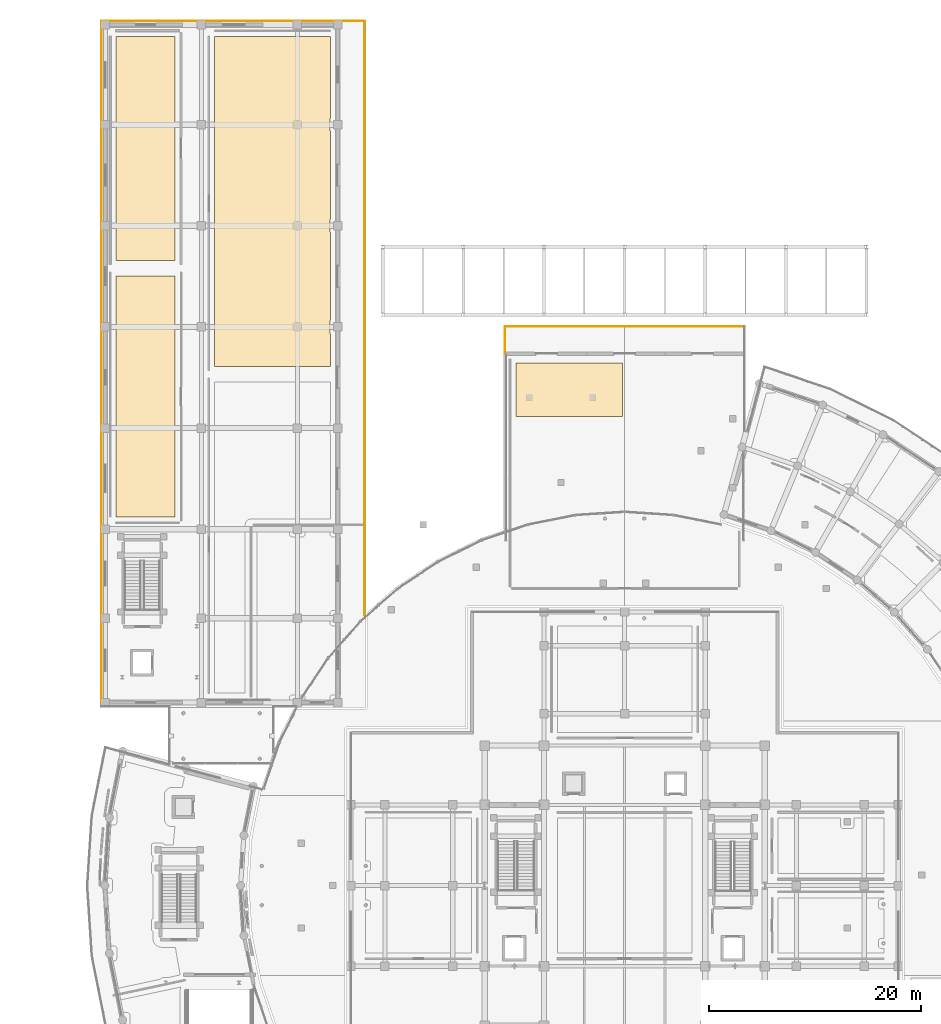
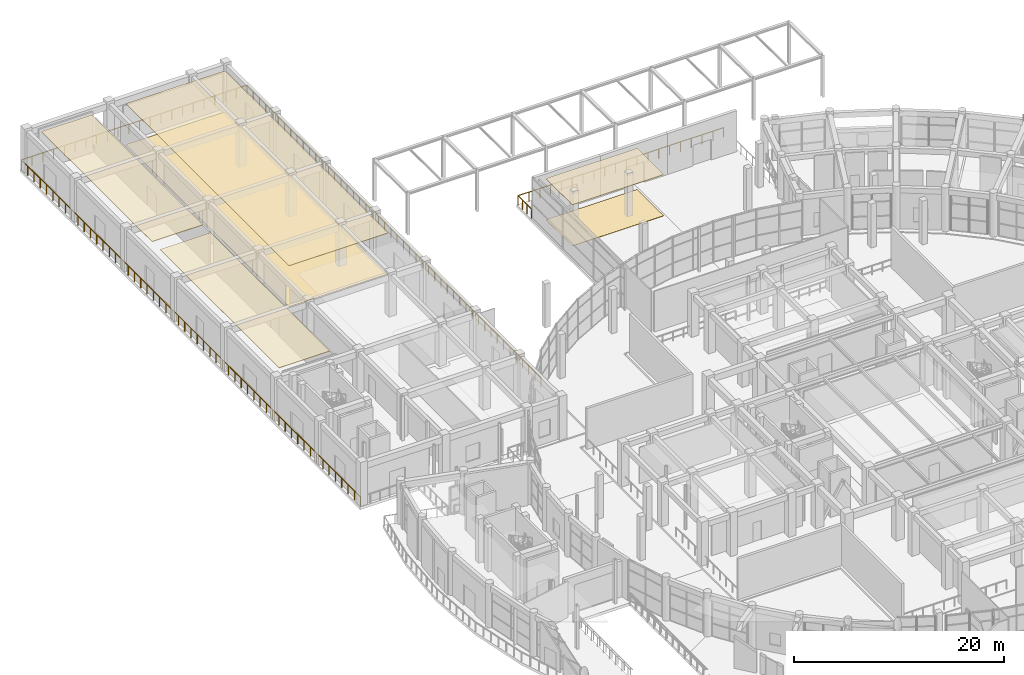
# One storey, part 97 of 99: 6 coverings, 5 railings.
"""IFC4 building model written with IfcOpenShell, lengths in metres."""

import ifcopenshell
import ifcopenshell.guid

model = None  # the IFC model being written
_history = None  # IfcOwnerHistory: only IFC2X3 demands one
_inside = {}  # id of a spatial element -> (the spatial element, [elements in it])
_under = {}  # id of a project, library or spatial element -> (it, [spatial elements below it])
_declared = {}  # id of a project -> (the project, [libraries it declares])
_typed = {}  # id of a type object -> (the type object, [elements of that type])
_made_of = {}  # id of a material, layer set ... -> (it, [elements and type objects made of it])


def new_model(schema):
    """Start an empty IFC model of exactly this schema.

    Asked for "IFC4X3", IfcOpenShell would pick the latest addendum, in which some entities
    have other attributes; the version numbers below select the first issue.
    IFC2X3 requires an IfcOwnerHistory on every rooted entity: one is made here for all.
    """
    global model, _history
    if schema == "IFC4X3":
        model = ifcopenshell.file(schema_version=(4, 3, 0, 0))
    else:
        model = ifcopenshell.file(schema=schema)
    _inside.clear()
    _under.clear()
    _declared.clear()
    _typed.clear()
    _made_of.clear()
    _history = None
    if model.schema == "IFC2X3":
        org = make("IfcOrganization", Name="unknown")
        user = make(
            "IfcPersonAndOrganization",
            ThePerson=make("IfcPerson", FamilyName="unknown"),
            TheOrganization=org,
        )
        app = make(
            "IfcApplication",
            ApplicationDeveloper=org,
            Version="unknown",
            ApplicationFullName="unknown",
            ApplicationIdentifier="unknown",
        )
        _history = make(
            "IfcOwnerHistory",
            OwningUser=user,
            OwningApplication=app,
            ChangeAction="ADDED",
            CreationDate=0,
        )
    return model


def make(cls, **values):
    """One entity of the class cls with the attributes given. An attribute that is None is left unset."""
    return model.create_entity(
        cls, **{name: value for name, value in values.items() if value is not None}
    )


def rooted(cls, **values):
    """An entity with a GlobalId (a new one), such as an element, a storey or a relation."""
    return make(cls, GlobalId=ifcopenshell.guid.new(), OwnerHistory=_history, **values)


def si_unit(unit_type, name, prefix=None):
    """IfcSIUnit, for example si_unit("LENGTHUNIT", "METRE", prefix="MILLI")."""
    return make("IfcSIUnit", UnitType=unit_type, Prefix=prefix, Name=name)


def assignment(units):
    """IfcUnitAssignment: the units of a project."""
    return None if units is None else make("IfcUnitAssignment", Units=units)


def point(xyz):
    """IfcCartesianPoint."""
    return None if xyz is None else make("IfcCartesianPoint", Coordinates=xyz)


def direction(xyz):
    """IfcDirection."""
    return None if xyz is None else make("IfcDirection", DirectionRatios=xyz)


def frame(location, z_axis=None, x_axis=None):
    """IfcAxis2Placement3D, a coordinate frame: its origin and axes. An axis left out is left unset."""
    return make(
        "IfcAxis2Placement3D",
        Location=point(location),
        Axis=direction(z_axis),
        RefDirection=direction(x_axis),
    )


def frame_2d(location, x_axis=None):
    """IfcAxis2Placement2D, a coordinate frame in the plane: its origin and x axis."""
    return make(
        "IfcAxis2Placement2D", Location=point(location), RefDirection=direction(x_axis)
    )


def origin():
    """The frame at (0, 0, 0) with its axes left unset."""
    return frame((0.0, 0.0, 0.0))


def origin_2d():
    """The frame at (0, 0) in the plane with its x axis left unset."""
    return frame_2d((0.0, 0.0))


def place(relative_to, where):
    """IfcLocalPlacement: puts the frame where relative to a parent placement (None: the world)."""
    return make(
        "IfcLocalPlacement", PlacementRelTo=relative_to, RelativePlacement=where
    )


def context(
    kind, dimensions, precision=None, world=None, true_north=None, identifier=None
):
    """IfcGeometricRepresentationContext, for example the 3D "Model" context."""
    return make(
        "IfcGeometricRepresentationContext",
        ContextIdentifier=identifier,
        ContextType=kind,
        CoordinateSpaceDimension=dimensions,
        Precision=precision,
        WorldCoordinateSystem=world,
        TrueNorth=true_north,
    )


def subcontext(parent, identifier, kind, view, scale=None):
    """IfcGeometricRepresentationSubContext, for example "Body" below "Model"."""
    return make(
        "IfcGeometricRepresentationSubContext",
        ContextIdentifier=identifier,
        ContextType=kind,
        ParentContext=parent,
        TargetScale=scale,
        TargetView=view,
    )


def project(units=None, contexts=None):
    """IfcProject with its units and contexts."""
    return rooted(
        "IfcProject",
        Name="project",
        RepresentationContexts=contexts,
        UnitsInContext=assignment(units),
    )


def spatial(cls, under=None, at=None, **own):
    """A site, building, storey or space (cls), placed at a placement, below another one or the project."""
    s = rooted(cls, ObjectPlacement=at, **own)
    if under is not None:
        _under.setdefault(under.id(), (under, []))[1].append(s)
    return s


def polyline(points):
    """IfcPolyline through the points."""
    return make("IfcPolyline", Points=[point(p) for p in points])


def profile(cls, at=None, kind="AREA", **sizes):
    """A parametric profile (cls). Its sizes go by their IFC names, for example OverallWidth=200.0."""
    return make(cls, ProfileType=kind, Position=at, **sizes)


def rectangle(**sizes):
    """IfcRectangleProfileDef."""
    return profile("IfcRectangleProfileDef", **sizes)


def outline(outer, holes=None, kind="AREA"):
    """IfcArbitraryClosedProfileDef: a profile drawn as a closed curve; with holes, ...WithVoids."""
    if holes is None:
        return make("IfcArbitraryClosedProfileDef", ProfileType=kind, OuterCurve=outer)
    return make(
        "IfcArbitraryProfileDefWithVoids",
        ProfileType=kind,
        OuterCurve=outer,
        InnerCurves=holes,
    )


def extrude(swept, where, along, depth):
    """IfcExtrudedAreaSolid: the profile swept, set in the frame where, extruded along a direction by depth."""
    return make(
        "IfcExtrudedAreaSolid",
        SweptArea=swept,
        Position=where,
        ExtrudedDirection=direction(along),
        Depth=depth,
    )


def shape(context_of_items, identifier, shape_type, items):
    """IfcShapeRepresentation: the items that make up one representation, for example the "Body"."""
    return make(
        "IfcShapeRepresentation",
        ContextOfItems=context_of_items,
        RepresentationIdentifier=identifier,
        RepresentationType=shape_type,
        Items=items,
    )


def material(Name=None, Category=None):
    """IfcMaterial."""
    return make("IfcMaterial", Name=Name, Category=Category)


def layer(
    of_material, thickness, ventilated=None, Name=None, Category=None, Priority=None
):
    """IfcMaterialLayer: one layer of a wall or slab, of a material (None: an air gap)."""
    return make(
        "IfcMaterialLayer",
        Material=of_material,
        LayerThickness=thickness,
        IsVentilated=ventilated,
        Name=Name,
        Category=Category,
        Priority=Priority,
    )


def layer_set(layers, Name=None):
    """IfcMaterialLayerSet."""
    return make("IfcMaterialLayerSet", MaterialLayers=layers, LayerSetName=Name)


def made_of(thing, what):
    """Note that an element or type object is made of a material, layer set ...; save() writes the relation."""
    if what is not None:
        _made_of.setdefault(what.id(), (what, []))[1].append(thing)
    return thing


def type_object(cls, material=None, **own):
    """A type object (cls), such as IfcWallType, which elements share."""
    return made_of(rooted(cls, **own), material)


def element(
    cls,
    number,
    at=None,
    inside=None,
    cuts=None,
    type_object=None,
    material=None,
    context=None,
    identifier="Body",
    shape_type=None,
    held_by="IfcProductDefinitionShape",
    body=None,
    shapes=None,
    **own,
):
    """One element of the class cls, such as IfcWall. Its Tag is "e" and its number.

    at: its placement. inside: the storey or other place that contains it. cuts: it is an
    opening in that element (IfcRelVoidsElement). A single representation is given by context,
    identifier, shape_type and body (its items); several are given by shapes. held_by: the class
    of the entity that holds the representations. save() writes the other relations.
    """
    e = rooted(cls, Tag="e%d" % number, ObjectPlacement=at, **own)
    if body is not None:
        shapes = [shape(context, identifier, shape_type, body)]
    if shapes is not None:
        e.Representation = make(held_by, Representations=shapes)
    if inside is not None:
        _inside.setdefault(inside.id(), (inside, []))[1].append(e)
    if cuts is not None:
        rooted(
            "IfcRelVoidsElement", RelatingBuildingElement=cuts, RelatedOpeningElement=e
        )
    if type_object is not None:
        _typed.setdefault(type_object.id(), (type_object, []))[1].append(e)
    return made_of(e, material)


def aggregate(whole, parts):
    """IfcRelAggregates: a whole, such as a stair, and the parts it consists of."""
    return rooted("IfcRelAggregates", RelatingObject=whole, RelatedObjects=parts)


def save(model, path):
    """Write the relations noted so far, then the file.

    IfcRelAggregates (storeys below a building ...), IfcRelContainedInSpatialStructure (elements
    in a storey), IfcRelDefinesByType, IfcRelAssociatesMaterial and IfcRelDeclares: one each for
    every whole, place, type object, material and project.
    """
    for whole, parts in _under.values():
        aggregate(whole, parts)
    for where, things in _inside.values():
        rooted(
            "IfcRelContainedInSpatialStructure",
            RelatedElements=things,
            RelatingStructure=where,
        )
    for kind, things in _typed.values():
        rooted("IfcRelDefinesByType", RelatedObjects=things, RelatingType=kind)
    for what, things in _made_of.values():
        rooted("IfcRelAssociatesMaterial", RelatedObjects=things, RelatingMaterial=what)
    for by, libraries in _declared.values():
        rooted("IfcRelDeclares", RelatingContext=by, RelatedDefinitions=libraries)
    model.write(path)


model = new_model("IFC4")

# Units and contexts
model_context = context("Model", 3, precision=1e-05, world=origin(), true_north=direction((0.0, 1.0)))
body_context = subcontext(model_context, "Body", "Model", "MODEL_VIEW")
ifc_project = project(units=[si_unit("LENGTHUNIT", "METRE"), si_unit("AREAUNIT", "SQUARE_METRE"), si_unit("VOLUMEUNIT", "CUBIC_METRE"), si_unit("PLANEANGLEUNIT", "RADIAN"), si_unit("MASSUNIT", "GRAM", prefix="KILO")], contexts=[model_context])

# Site, building, storey
site_placement = place(None, origin())
site = spatial("IfcSite", under=ifc_project, at=site_placement, CompositionType="ELEMENT")
building_placement = place(site_placement, origin())
building = spatial("IfcBuilding", under=site, at=building_placement, Name="Saryqyr Civic Hall", CompositionType="ELEMENT")
storey_placement = place(building_placement, origin())
storey = spatial("IfcBuildingStorey", under=building, at=storey_placement, Name="L00", CompositionType="ELEMENT", Elevation=0.0)

# Coverings
ifc_material_1 = material(Name="Mineral-fibre acoustic ceiling tile", Category="acoustic_tile")
ifc_layer_1 = layer(ifc_material_1, 0.06005859375, Name="Mineral-fibre acoustic ceiling tile")
ifc_layer_set_1 = layer_set([ifc_layer_1], Name="Mineral-fibre acoustic ceiling tile")
covering_type_1 = type_object("IfcCoveringType", Name="INT-COV-CEIL-60", PredefinedType="CEILING", material=ifc_layer_set_1)
covering_1_placement = place(storey_placement, frame((0.0, 0.0, 4.760009765625)))
element("IfcCovering", 1, at=covering_1_placement, inside=storey, type_object=covering_type_1, Name="Acoustic ceiling North Civic Square Entrance Hall", PredefinedType="CEILING", context=body_context, shape_type="SweptSolid", body=[
    extrude(outline(polyline([(46.75, 133.25), (56.800048828125, 133.25), (56.800048828125, 128.199951171875), (46.75, 128.199951171875), (46.75, 133.25)])), origin(), (0.0, 0.0, 1.0), 0.06005859375),
])
covering_2_placement = place(storey_placement, frame((0.0, 0.0, 4.739990234375)))
element("IfcCovering", 2, at=covering_2_placement, inside=storey, type_object=covering_type_1, Name="Acoustic ceiling Historical Maps & Rare Deeds Exhibition", PredefinedType="CEILING", context=body_context, shape_type="SweptSolid", body=[
    extrude(outline(polyline([(29.24951171875, 156.31787109375), (29.239013671875, 156.295654296875), (29.230712890625, 156.272705078125), (29.224853515625, 156.248779296875), (29.22119140625, 156.224609375), (29.219970703125, 156.199951171875), (29.219970703125, 155.239990234375), (29.22119140625, 155.215576171875), (29.224853515625, 155.191162109375), (29.230712890625, 155.16748046875), (29.239013671875, 155.144287109375), (29.24951171875, 155.122314453125), (29.25, 155.121337890625), (29.25, 146.788818359375), (29.24951171875, 146.787841796875), (29.239013671875, 146.765625), (29.230712890625, 146.74267578125), (29.224853515625, 146.71875), (29.22119140625, 146.694580078125), (29.219970703125, 146.669921875), (29.219970703125, 145.7099609375), (29.22119140625, 145.685546875), (29.224853515625, 145.6611328125), (29.230712890625, 145.637451171875), (29.239013671875, 145.6142578125), (29.24951171875, 145.59228515625), (29.25, 145.59130859375), (29.25, 137.2587890625), (29.24951171875, 137.2578125), (29.239013671875, 137.235595703125), (29.230712890625, 137.212646484375), (29.224853515625, 137.188720703125), (29.22119140625, 137.16455078125), (29.219970703125, 137.139892578125), (29.219970703125, 136.179931640625), (29.22119140625, 136.155517578125), (29.224853515625, 136.131103515625), (29.230712890625, 136.107421875), (29.239013671875, 136.084228515625), (29.24951171875, 136.062255859375), (29.25, 136.061279296875), (29.25, 132.949951171875), (18.35009765625, 132.949951171875), (18.35009765625, 164.050048828125), (29.25, 164.050048828125), (29.25, 156.318603515625), (29.24951171875, 156.31787109375)])), origin(), (0.0, 0.0, 1.0), 0.06005859375),
])
covering_3_placement = place(storey_placement, frame((0.0, 0.0, 4.739990234375)))
element("IfcCovering", 3, at=covering_3_placement, inside=storey, type_object=covering_type_1, Name="Acoustic ceiling Archive Digitisation Laboratory", PredefinedType="CEILING", context=body_context, shape_type="SweptSolid", body=[
    extrude(outline(polyline([(9.050048828125, 118.75), (9.050048828125, 141.449951171875), (14.6298828125, 141.449951171875), (14.6298828125, 118.75), (9.050048828125, 118.75)])), origin(), (0.0, 0.0, 1.0), 0.06005859375),
])
covering_4_placement = place(storey_placement, frame((0.0, 0.0, 4.739990234375)))
element("IfcCovering", 4, at=covering_4_placement, inside=storey, type_object=covering_type_1, Name="Acoustic ceiling Library Ground Reception & Accessible MGN WC", PredefinedType="CEILING", context=body_context, shape_type="SweptSolid", body=[
    extrude(outline(polyline([(9.050048828125, 142.949951171875), (9.050048828125, 164.050048828125), (14.6298828125, 164.050048828125), (14.6298828125, 142.949951171875), (9.050048828125, 142.949951171875)])), origin(), (0.0, 0.0, 1.0), 0.06005859375),
])
ifc_material_2 = material(Name="Polished terrazzo tile", Category="stone")
ifc_layer_2 = layer(ifc_material_2, 0.030029296875, Name="Polished terrazzo tile")
ifc_layer_set_2 = layer_set([ifc_layer_2], Name="Polished terrazzo tile")
covering_type_2 = type_object("IfcCoveringType", Name="INT-COV-FLR-30", PredefinedType="FLOORING", material=ifc_layer_set_2)
covering_5_placement = place(storey_placement, origin())
element("IfcCovering", 5, at=covering_5_placement, inside=storey, type_object=covering_type_2, Name="Polished terrazzo flooring North Civic Square Entrance Hall", PredefinedType="FLOORING", context=body_context, shape_type="SweptSolid", body=[
    extrude(outline(polyline([(46.75, 133.25), (56.800048828125, 133.25), (56.800048828125, 128.199951171875), (46.75, 128.199951171875), (46.75, 133.25)])), origin(), (0.0, 0.0, 1.0), 0.030029296875),
])
covering_6_placement = place(storey_placement, origin())
element("IfcCovering", 6, at=covering_6_placement, inside=storey, type_object=covering_type_2, Name="Polished terrazzo flooring Historical Maps & Rare Deeds Exhibition", PredefinedType="FLOORING", context=body_context, shape_type="SweptSolid", body=[
    extrude(outline(polyline([(29.24951171875, 156.31787109375), (29.239013671875, 156.295654296875), (29.230712890625, 156.272705078125), (29.224853515625, 156.248779296875), (29.22119140625, 156.224609375), (29.219970703125, 156.199951171875), (29.219970703125, 155.239990234375), (29.22119140625, 155.215576171875), (29.224853515625, 155.191162109375), (29.230712890625, 155.16748046875), (29.239013671875, 155.144287109375), (29.24951171875, 155.122314453125), (29.25, 155.121337890625), (29.25, 146.788818359375), (29.24951171875, 146.787841796875), (29.239013671875, 146.765625), (29.230712890625, 146.74267578125), (29.224853515625, 146.71875), (29.22119140625, 146.694580078125), (29.219970703125, 146.669921875), (29.219970703125, 145.7099609375), (29.22119140625, 145.685546875), (29.224853515625, 145.6611328125), (29.230712890625, 145.637451171875), (29.239013671875, 145.6142578125), (29.24951171875, 145.59228515625), (29.25, 145.59130859375), (29.25, 137.2587890625), (29.24951171875, 137.2578125), (29.239013671875, 137.235595703125), (29.230712890625, 137.212646484375), (29.224853515625, 137.188720703125), (29.22119140625, 137.16455078125), (29.219970703125, 137.139892578125), (29.219970703125, 136.179931640625), (29.22119140625, 136.155517578125), (29.224853515625, 136.131103515625), (29.230712890625, 136.107421875), (29.239013671875, 136.084228515625), (29.24951171875, 136.062255859375), (29.25, 136.061279296875), (29.25, 132.949951171875), (18.35009765625, 132.949951171875), (18.35009765625, 164.050048828125), (29.25, 164.050048828125), (29.25, 156.318603515625), (29.24951171875, 156.31787109375)])), origin(), (0.0, 0.0, 1.0), 0.030029296875),
])

# Railings
ifc_material_3 = material(Name="Warm brushed brass and laminated glass", Category="glass")
ifc_layer_3 = layer(ifc_material_3, 0.06005859375, Name="Warm brushed brass and laminated glass")
ifc_layer_set_3 = layer_set([ifc_layer_3], Name="Warm brushed brass and laminated glass")
railing_type = type_object("IfcRailingType", Name="INT-RLG-BAL-1100", PredefinedType="BALUSTRADE", material=ifc_layer_set_3)
railing_1_placement = place(storey_placement, frame((7.699951171875, 100.89990234375, 0.0)))
element("IfcRailing", 7, at=railing_1_placement, inside=storey, type_object=railing_type, Name="Interior deck safety balustrade L00-007", PredefinedType="BALUSTRADE", context=body_context, shape_type="SweptSolid", body=[
    extrude(rectangle(XDim=0.048095703125, YDim=0.048095703125, at=origin_2d()), frame((0.0, 0.0, 1.09619140625), z_axis=(0.0, 1.0, 0.0), x_axis=(-1.0, 0.0, 0.0)), (0.0, 0.0, 1.0), 64.60009765625),
    extrude(rectangle(XDim=0.0419921875, YDim=0.0419921875, at=origin_2d()), origin(), (0.0, 0.0, 1.0), 1.072021484375),
    extrude(rectangle(XDim=0.0419921875, YDim=0.0419921875, at=origin_2d()), frame((0.0, 1.1962890625, 0.0)), (0.0, 0.0, 1.0), 1.072021484375),
    extrude(rectangle(XDim=0.0419921875, YDim=0.0419921875, at=origin_2d()), frame((0.0, 2.392578125, 0.0)), (0.0, 0.0, 1.0), 1.072021484375),
    extrude(rectangle(XDim=0.0419921875, YDim=0.0419921875, at=origin_2d()), frame((0.0, 3.5888671875, 0.0)), (0.0, 0.0, 1.0), 1.072021484375),
    extrude(rectangle(XDim=0.0419921875, YDim=0.0419921875, at=origin_2d()), frame((0.0, 4.78515625, 0.0)), (0.0, 0.0, 1.0), 1.072021484375),
    extrude(rectangle(XDim=0.0419921875, YDim=0.0419921875, at=origin_2d()), frame((0.0, 5.9814453125, 0.0)), (0.0, 0.0, 1.0), 1.072021484375),
    extrude(rectangle(XDim=0.0419921875, YDim=0.0419921875, at=origin_2d()), frame((0.0, 7.177734375, 0.0)), (0.0, 0.0, 1.0), 1.072021484375),
    extrude(rectangle(XDim=0.0419921875, YDim=0.0419921875, at=origin_2d()), frame((0.0, 8.3740234375, 0.0)), (0.0, 0.0, 1.0), 1.072021484375),
    extrude(rectangle(XDim=0.0419921875, YDim=0.0419921875, at=origin_2d()), frame((0.0, 9.5703125, 0.0)), (0.0, 0.0, 1.0), 1.072021484375),
    extrude(rectangle(XDim=0.0419921875, YDim=0.0419921875, at=origin_2d()), frame((0.0, 10.7666015625, 0.0)), (0.0, 0.0, 1.0), 1.072021484375),
    extrude(rectangle(XDim=0.0419921875, YDim=0.0419921875, at=origin_2d()), frame((0.0, 11.962890625, 0.0)), (0.0, 0.0, 1.0), 1.072021484375),
    extrude(rectangle(XDim=0.0419921875, YDim=0.0419921875, at=origin_2d()), frame((0.0, 13.1591796875, 0.0)), (0.0, 0.0, 1.0), 1.072021484375),
    extrude(rectangle(XDim=0.0419921875, YDim=0.0419921875, at=origin_2d()), frame((0.0, 14.35546875, 0.0)), (0.0, 0.0, 1.0), 1.072021484375),
    extrude(rectangle(XDim=0.0419921875, YDim=0.0419921875, at=origin_2d()), frame((0.0, 15.5517578125, 0.0)), (0.0, 0.0, 1.0), 1.072021484375),
    extrude(rectangle(XDim=0.0419921875, YDim=0.0419921875, at=origin_2d()), frame((0.0, 16.748291015625, 0.0)), (0.0, 0.0, 1.0), 1.072021484375),
    extrude(rectangle(XDim=0.0419921875, YDim=0.0419921875, at=origin_2d()), frame((0.0, 17.944580078125, 0.0)), (0.0, 0.0, 1.0), 1.072021484375),
    extrude(rectangle(XDim=0.0419921875, YDim=0.0419921875, at=origin_2d()), frame((0.0, 19.140869140625, 0.0)), (0.0, 0.0, 1.0), 1.072021484375),
    extrude(rectangle(XDim=0.0419921875, YDim=0.0419921875, at=origin_2d()), frame((0.0, 20.337158203125, 0.0)), (0.0, 0.0, 1.0), 1.072021484375),
    extrude(rectangle(XDim=0.0419921875, YDim=0.0419921875, at=origin_2d()), frame((0.0, 21.533447265625, 0.0)), (0.0, 0.0, 1.0), 1.072021484375),
    extrude(rectangle(XDim=0.0419921875, YDim=0.0419921875, at=origin_2d()), frame((0.0, 22.729736328125, 0.0)), (0.0, 0.0, 1.0), 1.072021484375),
    extrude(rectangle(XDim=0.0419921875, YDim=0.0419921875, at=origin_2d()), frame((0.0, 23.926025390625, 0.0)), (0.0, 0.0, 1.0), 1.072021484375),
    extrude(rectangle(XDim=0.0419921875, YDim=0.0419921875, at=origin_2d()), frame((0.0, 25.122314453125, 0.0)), (0.0, 0.0, 1.0), 1.072021484375),
    extrude(rectangle(XDim=0.0419921875, YDim=0.0419921875, at=origin_2d()), frame((0.0, 26.318603515625, 0.0)), (0.0, 0.0, 1.0), 1.072021484375),
    extrude(rectangle(XDim=0.0419921875, YDim=0.0419921875, at=origin_2d()), frame((0.0, 27.514892578125, 0.0)), (0.0, 0.0, 1.0), 1.072021484375),
    extrude(rectangle(XDim=0.0419921875, YDim=0.0419921875, at=origin_2d()), frame((0.0, 28.711181640625, 0.0)), (0.0, 0.0, 1.0), 1.072021484375),
    extrude(rectangle(XDim=0.0419921875, YDim=0.0419921875, at=origin_2d()), frame((0.0, 29.907470703125, 0.0)), (0.0, 0.0, 1.0), 1.072021484375),
    extrude(rectangle(XDim=0.0419921875, YDim=0.0419921875, at=origin_2d()), frame((0.0, 31.103759765625, 0.0)), (0.0, 0.0, 1.0), 1.072021484375),
    extrude(rectangle(XDim=0.0419921875, YDim=0.0419921875, at=origin_2d()), frame((0.0, 32.300048828125, 0.0)), (0.0, 0.0, 1.0), 1.072021484375),
    extrude(rectangle(XDim=0.0419921875, YDim=0.0419921875, at=origin_2d()), frame((0.0, 33.496337890625, 0.0)), (0.0, 0.0, 1.0), 1.072021484375),
    extrude(rectangle(XDim=0.0419921875, YDim=0.0419921875, at=origin_2d()), frame((0.0, 34.692626953125, 0.0)), (0.0, 0.0, 1.0), 1.072021484375),
    extrude(rectangle(XDim=0.0419921875, YDim=0.0419921875, at=origin_2d()), frame((0.0, 35.888916015625, 0.0)), (0.0, 0.0, 1.0), 1.072021484375),
    extrude(rectangle(XDim=0.0419921875, YDim=0.0419921875, at=origin_2d()), frame((0.0, 37.085205078125, 0.0)), (0.0, 0.0, 1.0), 1.072021484375),
    extrude(rectangle(XDim=0.0419921875, YDim=0.0419921875, at=origin_2d()), frame((0.0, 38.281494140625, 0.0)), (0.0, 0.0, 1.0), 1.072021484375),
    extrude(rectangle(XDim=0.0419921875, YDim=0.0419921875, at=origin_2d()), frame((0.0, 39.477783203125, 0.0)), (0.0, 0.0, 1.0), 1.072021484375),
    extrude(rectangle(XDim=0.0419921875, YDim=0.0419921875, at=origin_2d()), frame((0.0, 40.674072265625, 0.0)), (0.0, 0.0, 1.0), 1.072021484375),
    extrude(rectangle(XDim=0.0419921875, YDim=0.0419921875, at=origin_2d()), frame((0.0, 41.870361328125, 0.0)), (0.0, 0.0, 1.0), 1.072021484375),
    extrude(rectangle(XDim=0.0419921875, YDim=0.0419921875, at=origin_2d()), frame((0.0, 43.066650390625, 0.0)), (0.0, 0.0, 1.0), 1.072021484375),
    extrude(rectangle(XDim=0.0419921875, YDim=0.0419921875, at=origin_2d()), frame((0.0, 44.262939453125, 0.0)), (0.0, 0.0, 1.0), 1.072021484375),
    extrude(rectangle(XDim=0.0419921875, YDim=0.0419921875, at=origin_2d()), frame((0.0, 45.459228515625, 0.0)), (0.0, 0.0, 1.0), 1.072021484375),
    extrude(rectangle(XDim=0.0419921875, YDim=0.0419921875, at=origin_2d()), frame((0.0, 46.655517578125, 0.0)), (0.0, 0.0, 1.0), 1.072021484375),
    extrude(rectangle(XDim=0.0419921875, YDim=0.0419921875, at=origin_2d()), frame((0.0, 47.851806640625, 0.0)), (0.0, 0.0, 1.0), 1.072021484375),
    extrude(rectangle(XDim=0.0419921875, YDim=0.0419921875, at=origin_2d()), frame((0.0, 49.04833984375, 0.0)), (0.0, 0.0, 1.0), 1.072021484375),
    extrude(rectangle(XDim=0.0419921875, YDim=0.0419921875, at=origin_2d()), frame((0.0, 50.24462890625, 0.0)), (0.0, 0.0, 1.0), 1.072021484375),
    extrude(rectangle(XDim=0.0419921875, YDim=0.0419921875, at=origin_2d()), frame((0.0, 51.44091796875, 0.0)), (0.0, 0.0, 1.0), 1.072021484375),
    extrude(rectangle(XDim=0.0419921875, YDim=0.0419921875, at=origin_2d()), frame((0.0, 52.63720703125, 0.0)), (0.0, 0.0, 1.0), 1.072021484375),
    extrude(rectangle(XDim=0.0419921875, YDim=0.0419921875, at=origin_2d()), frame((0.0, 53.83349609375, 0.0)), (0.0, 0.0, 1.0), 1.072021484375),
    extrude(rectangle(XDim=0.0419921875, YDim=0.0419921875, at=origin_2d()), frame((0.0, 55.02978515625, 0.0)), (0.0, 0.0, 1.0), 1.072021484375),
    extrude(rectangle(XDim=0.0419921875, YDim=0.0419921875, at=origin_2d()), frame((0.0, 56.22607421875, 0.0)), (0.0, 0.0, 1.0), 1.072021484375),
    extrude(rectangle(XDim=0.0419921875, YDim=0.0419921875, at=origin_2d()), frame((0.0, 57.42236328125, 0.0)), (0.0, 0.0, 1.0), 1.072021484375),
    extrude(rectangle(XDim=0.0419921875, YDim=0.0419921875, at=origin_2d()), frame((0.0, 58.61865234375, 0.0)), (0.0, 0.0, 1.0), 1.072021484375),
    extrude(rectangle(XDim=0.0419921875, YDim=0.0419921875, at=origin_2d()), frame((0.0, 59.81494140625, 0.0)), (0.0, 0.0, 1.0), 1.072021484375),
    extrude(rectangle(XDim=0.0419921875, YDim=0.0419921875, at=origin_2d()), frame((0.0, 61.01123046875, 0.0)), (0.0, 0.0, 1.0), 1.072021484375),
    extrude(rectangle(XDim=0.0419921875, YDim=0.0419921875, at=origin_2d()), frame((0.0, 62.20751953125, 0.0)), (0.0, 0.0, 1.0), 1.072021484375),
    extrude(rectangle(XDim=0.0419921875, YDim=0.0419921875, at=origin_2d()), frame((0.0, 63.40380859375, 0.0)), (0.0, 0.0, 1.0), 1.072021484375),
    extrude(rectangle(XDim=0.0419921875, YDim=0.0419921875, at=origin_2d()), frame((0.0, 64.60009765625, 0.0)), (0.0, 0.0, 1.0), 1.072021484375),
])
railing_2_placement = place(storey_placement, frame((7.699951171875, 165.5, 0.0)))
element("IfcRailing", 8, at=railing_2_placement, inside=storey, type_object=railing_type, Name="Interior deck safety balustrade L00-008", PredefinedType="BALUSTRADE", context=body_context, shape_type="SweptSolid", body=[
    extrude(rectangle(XDim=0.048095703125, YDim=0.048095703125, at=origin_2d()), frame((0.0, 0.0, 1.09619140625), z_axis=(1.0, 0.0, 0.0), x_axis=(0.0, 1.0, 0.0)), (0.0, 0.0, 1.0), 24.800048828125),
    extrude(rectangle(XDim=0.0419921875, YDim=0.0419921875, at=origin_2d()), origin(), (0.0, 0.0, 1.0), 1.072021484375),
    extrude(rectangle(XDim=0.0419921875, YDim=0.0419921875, at=origin_2d()), frame((1.180908203125, 0.0, 0.0)), (0.0, 0.0, 1.0), 1.072021484375),
    extrude(rectangle(XDim=0.0419921875, YDim=0.0419921875, at=origin_2d()), frame((2.36181640625, 0.0, 0.0)), (0.0, 0.0, 1.0), 1.072021484375),
    extrude(rectangle(XDim=0.0419921875, YDim=0.0419921875, at=origin_2d()), frame((3.54296875, 0.0, 0.0)), (0.0, 0.0, 1.0), 1.072021484375),
    extrude(rectangle(XDim=0.0419921875, YDim=0.0419921875, at=origin_2d()), frame((4.723876953125, 0.0, 0.0)), (0.0, 0.0, 1.0), 1.072021484375),
    extrude(rectangle(XDim=0.0419921875, YDim=0.0419921875, at=origin_2d()), frame((5.90478515625, 0.0, 0.0)), (0.0, 0.0, 1.0), 1.072021484375),
    extrude(rectangle(XDim=0.0419921875, YDim=0.0419921875, at=origin_2d()), frame((7.085693359375, 0.0, 0.0)), (0.0, 0.0, 1.0), 1.072021484375),
    extrude(rectangle(XDim=0.0419921875, YDim=0.0419921875, at=origin_2d()), frame((8.2666015625, 0.0, 0.0)), (0.0, 0.0, 1.0), 1.072021484375),
    extrude(rectangle(XDim=0.0419921875, YDim=0.0419921875, at=origin_2d()), frame((9.44775390625, 0.0, 0.0)), (0.0, 0.0, 1.0), 1.072021484375),
    extrude(rectangle(XDim=0.0419921875, YDim=0.0419921875, at=origin_2d()), frame((10.628662109375, 0.0, 0.0)), (0.0, 0.0, 1.0), 1.072021484375),
    extrude(rectangle(XDim=0.0419921875, YDim=0.0419921875, at=origin_2d()), frame((11.8095703125, 0.0, 0.0)), (0.0, 0.0, 1.0), 1.072021484375),
    extrude(rectangle(XDim=0.0419921875, YDim=0.0419921875, at=origin_2d()), frame((12.990478515625, 0.0, 0.0)), (0.0, 0.0, 1.0), 1.072021484375),
    extrude(rectangle(XDim=0.0419921875, YDim=0.0419921875, at=origin_2d()), frame((14.17138671875, 0.0, 0.0)), (0.0, 0.0, 1.0), 1.072021484375),
    extrude(rectangle(XDim=0.0419921875, YDim=0.0419921875, at=origin_2d()), frame((15.352294921875, 0.0, 0.0)), (0.0, 0.0, 1.0), 1.072021484375),
    extrude(rectangle(XDim=0.0419921875, YDim=0.0419921875, at=origin_2d()), frame((16.533447265625, 0.0, 0.0)), (0.0, 0.0, 1.0), 1.072021484375),
    extrude(rectangle(XDim=0.0419921875, YDim=0.0419921875, at=origin_2d()), frame((17.71435546875, 0.0, 0.0)), (0.0, 0.0, 1.0), 1.072021484375),
    extrude(rectangle(XDim=0.0419921875, YDim=0.0419921875, at=origin_2d()), frame((18.895263671875, 0.0, 0.0)), (0.0, 0.0, 1.0), 1.072021484375),
    extrude(rectangle(XDim=0.0419921875, YDim=0.0419921875, at=origin_2d()), frame((20.076171875, 0.0, 0.0)), (0.0, 0.0, 1.0), 1.072021484375),
    extrude(rectangle(XDim=0.0419921875, YDim=0.0419921875, at=origin_2d()), frame((21.257080078125, 0.0, 0.0)), (0.0, 0.0, 1.0), 1.072021484375),
    extrude(rectangle(XDim=0.0419921875, YDim=0.0419921875, at=origin_2d()), frame((22.438232421875, 0.0, 0.0)), (0.0, 0.0, 1.0), 1.072021484375),
    extrude(rectangle(XDim=0.0419921875, YDim=0.0419921875, at=origin_2d()), frame((23.619140625, 0.0, 0.0)), (0.0, 0.0, 1.0), 1.072021484375),
    extrude(rectangle(XDim=0.0419921875, YDim=0.0419921875, at=origin_2d()), frame((24.800048828125, 0.0, 0.0)), (0.0, 0.0, 1.0), 1.072021484375),
])
railing_3_placement = place(storey_placement, frame((32.5, 165.5, 0.0)))
element("IfcRailing", 9, at=railing_3_placement, inside=storey, type_object=railing_type, Name="Interior deck safety balustrade L00-009", PredefinedType="BALUSTRADE", context=body_context, shape_type="SweptSolid", body=[
    extrude(rectangle(XDim=0.048095703125, YDim=0.048095703125, at=origin_2d()), frame((0.0, 0.0, 1.09619140625), z_axis=(0.0, -1.0, 0.0), x_axis=(1.0, 0.0, 0.0)), (0.0, 0.0, 1.0), 56.0283203125),
    extrude(rectangle(XDim=0.0419921875, YDim=0.0419921875, at=origin_2d()), origin(), (0.0, 0.0, 1.0), 1.072021484375),
    extrude(rectangle(XDim=0.0419921875, YDim=0.0419921875, at=origin_2d()), frame((0.0, -1.192138671875, 0.0)), (0.0, 0.0, 1.0), 1.072021484375),
    extrude(rectangle(XDim=0.0419921875, YDim=0.0419921875, at=origin_2d()), frame((0.0, -2.38427734375, 0.0)), (0.0, 0.0, 1.0), 1.072021484375),
    extrude(rectangle(XDim=0.0419921875, YDim=0.0419921875, at=origin_2d()), frame((0.0, -3.576171875, 0.0)), (0.0, 0.0, 1.0), 1.072021484375),
    extrude(rectangle(XDim=0.0419921875, YDim=0.0419921875, at=origin_2d()), frame((0.0, -4.768310546875, 0.0)), (0.0, 0.0, 1.0), 1.072021484375),
    extrude(rectangle(XDim=0.0419921875, YDim=0.0419921875, at=origin_2d()), frame((0.0, -5.96044921875, 0.0)), (0.0, 0.0, 1.0), 1.072021484375),
    extrude(rectangle(XDim=0.0419921875, YDim=0.0419921875, at=origin_2d()), frame((0.0, -7.152587890625, 0.0)), (0.0, 0.0, 1.0), 1.072021484375),
    extrude(rectangle(XDim=0.0419921875, YDim=0.0419921875, at=origin_2d()), frame((0.0, -8.3447265625, 0.0)), (0.0, 0.0, 1.0), 1.072021484375),
    extrude(rectangle(XDim=0.0419921875, YDim=0.0419921875, at=origin_2d()), frame((0.0, -9.53662109375, 0.0)), (0.0, 0.0, 1.0), 1.072021484375),
    extrude(rectangle(XDim=0.0419921875, YDim=0.0419921875, at=origin_2d()), frame((0.0, -10.728759765625, 0.0)), (0.0, 0.0, 1.0), 1.072021484375),
    extrude(rectangle(XDim=0.0419921875, YDim=0.0419921875, at=origin_2d()), frame((0.0, -11.9208984375, 0.0)), (0.0, 0.0, 1.0), 1.072021484375),
    extrude(rectangle(XDim=0.0419921875, YDim=0.0419921875, at=origin_2d()), frame((0.0, -13.113037109375, 0.0)), (0.0, 0.0, 1.0), 1.072021484375),
    extrude(rectangle(XDim=0.0419921875, YDim=0.0419921875, at=origin_2d()), frame((0.0, -14.30517578125, 0.0)), (0.0, 0.0, 1.0), 1.072021484375),
    extrude(rectangle(XDim=0.0419921875, YDim=0.0419921875, at=origin_2d()), frame((0.0, -15.497314453125, 0.0)), (0.0, 0.0, 1.0), 1.072021484375),
    extrude(rectangle(XDim=0.0419921875, YDim=0.0419921875, at=origin_2d()), frame((0.0, -16.689208984375, 0.0)), (0.0, 0.0, 1.0), 1.072021484375),
    extrude(rectangle(XDim=0.0419921875, YDim=0.0419921875, at=origin_2d()), frame((0.0, -17.88134765625, 0.0)), (0.0, 0.0, 1.0), 1.072021484375),
    extrude(rectangle(XDim=0.0419921875, YDim=0.0419921875, at=origin_2d()), frame((0.0, -19.073486328125, 0.0)), (0.0, 0.0, 1.0), 1.072021484375),
    extrude(rectangle(XDim=0.0419921875, YDim=0.0419921875, at=origin_2d()), frame((0.0, -20.265625, 0.0)), (0.0, 0.0, 1.0), 1.072021484375),
    extrude(rectangle(XDim=0.0419921875, YDim=0.0419921875, at=origin_2d()), frame((0.0, -21.457763671875, 0.0)), (0.0, 0.0, 1.0), 1.072021484375),
    extrude(rectangle(XDim=0.0419921875, YDim=0.0419921875, at=origin_2d()), frame((0.0, -22.649658203125, 0.0)), (0.0, 0.0, 1.0), 1.072021484375),
    extrude(rectangle(XDim=0.0419921875, YDim=0.0419921875, at=origin_2d()), frame((0.0, -23.841796875, 0.0)), (0.0, 0.0, 1.0), 1.072021484375),
    extrude(rectangle(XDim=0.0419921875, YDim=0.0419921875, at=origin_2d()), frame((0.0, -25.033935546875, 0.0)), (0.0, 0.0, 1.0), 1.072021484375),
    extrude(rectangle(XDim=0.0419921875, YDim=0.0419921875, at=origin_2d()), frame((0.0, -26.22607421875, 0.0)), (0.0, 0.0, 1.0), 1.072021484375),
    extrude(rectangle(XDim=0.0419921875, YDim=0.0419921875, at=origin_2d()), frame((0.0, -27.418212890625, 0.0)), (0.0, 0.0, 1.0), 1.072021484375),
    extrude(rectangle(XDim=0.0419921875, YDim=0.0419921875, at=origin_2d()), frame((0.0, -28.610107421875, 0.0)), (0.0, 0.0, 1.0), 1.072021484375),
    extrude(rectangle(XDim=0.0419921875, YDim=0.0419921875, at=origin_2d()), frame((0.0, -29.80224609375, 0.0)), (0.0, 0.0, 1.0), 1.072021484375),
    extrude(rectangle(XDim=0.0419921875, YDim=0.0419921875, at=origin_2d()), frame((0.0, -30.994384765625, 0.0)), (0.0, 0.0, 1.0), 1.072021484375),
    extrude(rectangle(XDim=0.0419921875, YDim=0.0419921875, at=origin_2d()), frame((0.0, -32.1865234375, 0.0)), (0.0, 0.0, 1.0), 1.072021484375),
    extrude(rectangle(XDim=0.0419921875, YDim=0.0419921875, at=origin_2d()), frame((0.0, -33.378662109375, 0.0)), (0.0, 0.0, 1.0), 1.072021484375),
    extrude(rectangle(XDim=0.0419921875, YDim=0.0419921875, at=origin_2d()), frame((0.0, -34.570556640625, 0.0)), (0.0, 0.0, 1.0), 1.072021484375),
    extrude(rectangle(XDim=0.0419921875, YDim=0.0419921875, at=origin_2d()), frame((0.0, -35.7626953125, 0.0)), (0.0, 0.0, 1.0), 1.072021484375),
    extrude(rectangle(XDim=0.0419921875, YDim=0.0419921875, at=origin_2d()), frame((0.0, -36.954833984375, 0.0)), (0.0, 0.0, 1.0), 1.072021484375),
    extrude(rectangle(XDim=0.0419921875, YDim=0.0419921875, at=origin_2d()), frame((0.0, -38.14697265625, 0.0)), (0.0, 0.0, 1.0), 1.072021484375),
    extrude(rectangle(XDim=0.0419921875, YDim=0.0419921875, at=origin_2d()), frame((0.0, -39.339111328125, 0.0)), (0.0, 0.0, 1.0), 1.072021484375),
    extrude(rectangle(XDim=0.0419921875, YDim=0.0419921875, at=origin_2d()), frame((0.0, -40.531005859375, 0.0)), (0.0, 0.0, 1.0), 1.072021484375),
    extrude(rectangle(XDim=0.0419921875, YDim=0.0419921875, at=origin_2d()), frame((0.0, -41.72314453125, 0.0)), (0.0, 0.0, 1.0), 1.072021484375),
    extrude(rectangle(XDim=0.0419921875, YDim=0.0419921875, at=origin_2d()), frame((0.0, -42.915283203125, 0.0)), (0.0, 0.0, 1.0), 1.072021484375),
    extrude(rectangle(XDim=0.0419921875, YDim=0.0419921875, at=origin_2d()), frame((0.0, -44.107421875, 0.0)), (0.0, 0.0, 1.0), 1.072021484375),
    extrude(rectangle(XDim=0.0419921875, YDim=0.0419921875, at=origin_2d()), frame((0.0, -45.299560546875, 0.0)), (0.0, 0.0, 1.0), 1.072021484375),
    extrude(rectangle(XDim=0.0419921875, YDim=0.0419921875, at=origin_2d()), frame((0.0, -46.49169921875, 0.0)), (0.0, 0.0, 1.0), 1.072021484375),
    extrude(rectangle(XDim=0.0419921875, YDim=0.0419921875, at=origin_2d()), frame((0.0, -47.68359375, 0.0)), (0.0, 0.0, 1.0), 1.072021484375),
    extrude(rectangle(XDim=0.0419921875, YDim=0.0419921875, at=origin_2d()), frame((0.0, -48.875732421875, 0.0)), (0.0, 0.0, 1.0), 1.072021484375),
    extrude(rectangle(XDim=0.0419921875, YDim=0.0419921875, at=origin_2d()), frame((0.0, -50.06787109375, 0.0)), (0.0, 0.0, 1.0), 1.072021484375),
    extrude(rectangle(XDim=0.0419921875, YDim=0.0419921875, at=origin_2d()), frame((0.0, -51.260009765625, 0.0)), (0.0, 0.0, 1.0), 1.072021484375),
    extrude(rectangle(XDim=0.0419921875, YDim=0.0419921875, at=origin_2d()), frame((0.0, -52.4521484375, 0.0)), (0.0, 0.0, 1.0), 1.072021484375),
    extrude(rectangle(XDim=0.0419921875, YDim=0.0419921875, at=origin_2d()), frame((0.0, -53.64404296875, 0.0)), (0.0, 0.0, 1.0), 1.072021484375),
    extrude(rectangle(XDim=0.0419921875, YDim=0.0419921875, at=origin_2d()), frame((0.0, -54.836181640625, 0.0)), (0.0, 0.0, 1.0), 1.072021484375),
    extrude(rectangle(XDim=0.0419921875, YDim=0.0419921875, at=origin_2d()), frame((0.0, -56.0283203125, 0.0)), (0.0, 0.0, 1.0), 1.072021484375),
])
railing_4_placement = place(storey_placement, frame((45.699951171875, 134.14990234375, 0.0)))
element("IfcRailing", 10, at=railing_4_placement, inside=storey, type_object=railing_type, Name="Interior deck safety balustrade L00-010", PredefinedType="BALUSTRADE", context=body_context, shape_type="SweptSolid", body=[
    extrude(rectangle(XDim=0.048095703125, YDim=0.048095703125, at=origin_2d()), frame((0.0, 0.0, 1.09619140625), z_axis=(0.0, 1.0, 0.0), x_axis=(-1.0, 0.0, 0.0)), (0.0, 0.0, 1.0), 2.550048828125),
    extrude(rectangle(XDim=0.0419921875, YDim=0.0419921875, at=origin_2d()), origin(), (0.0, 0.0, 1.0), 1.072021484375),
    extrude(rectangle(XDim=0.0419921875, YDim=0.0419921875, at=origin_2d()), frame((0.0, 0.85009765625, 0.0)), (0.0, 0.0, 1.0), 1.072021484375),
    extrude(rectangle(XDim=0.0419921875, YDim=0.0419921875, at=origin_2d()), frame((0.0, 1.699951171875, 0.0)), (0.0, 0.0, 1.0), 1.072021484375),
    extrude(rectangle(XDim=0.0419921875, YDim=0.0419921875, at=origin_2d()), frame((0.0, 2.550048828125, 0.0)), (0.0, 0.0, 1.0), 1.072021484375),
])
railing_5_placement = place(storey_placement, frame((45.699951171875, 136.699951171875, 0.0)))
element("IfcRailing", 11, at=railing_5_placement, inside=storey, type_object=railing_type, Name="Interior deck safety balustrade L00-011", PredefinedType="BALUSTRADE", context=body_context, shape_type="SweptSolid", body=[
    extrude(rectangle(XDim=0.048095703125, YDim=0.048095703125, at=origin_2d()), frame((0.0, 0.0, 1.09619140625), z_axis=(1.0, 0.0, 0.0), x_axis=(0.0, 1.0, 0.0)), (0.0, 0.0, 1.0), 22.60009765625),
    extrude(rectangle(XDim=0.0419921875, YDim=0.0419921875, at=origin_2d()), origin(), (0.0, 0.0, 1.0), 1.072021484375),
    extrude(rectangle(XDim=0.0419921875, YDim=0.0419921875, at=origin_2d()), frame((1.189453125, 0.0, 0.0)), (0.0, 0.0, 1.0), 1.072021484375),
    extrude(rectangle(XDim=0.0419921875, YDim=0.0419921875, at=origin_2d()), frame((2.37890625, 0.0, 0.0)), (0.0, 0.0, 1.0), 1.072021484375),
    extrude(rectangle(XDim=0.0419921875, YDim=0.0419921875, at=origin_2d()), frame((3.568359375, 0.0, 0.0)), (0.0, 0.0, 1.0), 1.072021484375),
    extrude(rectangle(XDim=0.0419921875, YDim=0.0419921875, at=origin_2d()), frame((4.7578125, 0.0, 0.0)), (0.0, 0.0, 1.0), 1.072021484375),
    extrude(rectangle(XDim=0.0419921875, YDim=0.0419921875, at=origin_2d()), frame((5.947509765625, 0.0, 0.0)), (0.0, 0.0, 1.0), 1.072021484375),
    extrude(rectangle(XDim=0.0419921875, YDim=0.0419921875, at=origin_2d()), frame((7.136962890625, 0.0, 0.0)), (0.0, 0.0, 1.0), 1.072021484375),
    extrude(rectangle(XDim=0.0419921875, YDim=0.0419921875, at=origin_2d()), frame((8.326416015625, 0.0, 0.0)), (0.0, 0.0, 1.0), 1.072021484375),
    extrude(rectangle(XDim=0.0419921875, YDim=0.0419921875, at=origin_2d()), frame((9.515869140625, 0.0, 0.0)), (0.0, 0.0, 1.0), 1.072021484375),
    extrude(rectangle(XDim=0.0419921875, YDim=0.0419921875, at=origin_2d()), frame((10.705322265625, 0.0, 0.0)), (0.0, 0.0, 1.0), 1.072021484375),
    extrude(rectangle(XDim=0.0419921875, YDim=0.0419921875, at=origin_2d()), frame((11.894775390625, 0.0, 0.0)), (0.0, 0.0, 1.0), 1.072021484375),
    extrude(rectangle(XDim=0.0419921875, YDim=0.0419921875, at=origin_2d()), frame((13.084228515625, 0.0, 0.0)), (0.0, 0.0, 1.0), 1.072021484375),
    extrude(rectangle(XDim=0.0419921875, YDim=0.0419921875, at=origin_2d()), frame((14.273681640625, 0.0, 0.0)), (0.0, 0.0, 1.0), 1.072021484375),
    extrude(rectangle(XDim=0.0419921875, YDim=0.0419921875, at=origin_2d()), frame((15.463134765625, 0.0, 0.0)), (0.0, 0.0, 1.0), 1.072021484375),
    extrude(rectangle(XDim=0.0419921875, YDim=0.0419921875, at=origin_2d()), frame((16.652587890625, 0.0, 0.0)), (0.0, 0.0, 1.0), 1.072021484375),
    extrude(rectangle(XDim=0.0419921875, YDim=0.0419921875, at=origin_2d()), frame((17.84228515625, 0.0, 0.0)), (0.0, 0.0, 1.0), 1.072021484375),
    extrude(rectangle(XDim=0.0419921875, YDim=0.0419921875, at=origin_2d()), frame((19.03173828125, 0.0, 0.0)), (0.0, 0.0, 1.0), 1.072021484375),
    extrude(rectangle(XDim=0.0419921875, YDim=0.0419921875, at=origin_2d()), frame((20.22119140625, 0.0, 0.0)), (0.0, 0.0, 1.0), 1.072021484375),
    extrude(rectangle(XDim=0.0419921875, YDim=0.0419921875, at=origin_2d()), frame((21.41064453125, 0.0, 0.0)), (0.0, 0.0, 1.0), 1.072021484375),
    extrude(rectangle(XDim=0.0419921875, YDim=0.0419921875, at=origin_2d()), frame((22.60009765625, 0.0, 0.0)), (0.0, 0.0, 1.0), 1.072021484375),
])

save(model, "model.ifc")
